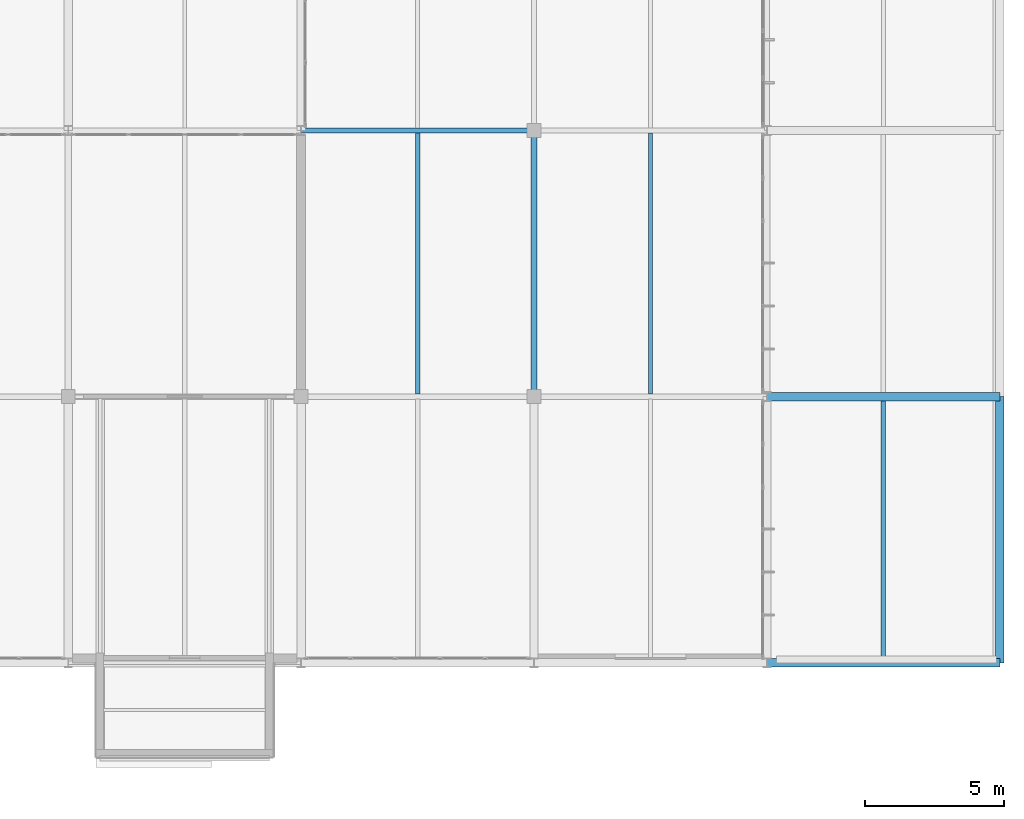
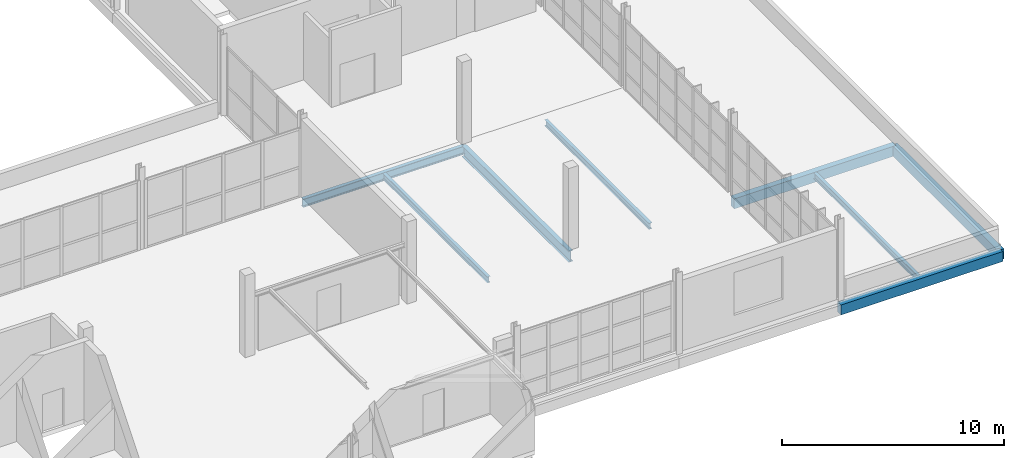
# One storey, part 73 of 103: 8 beams.
"""IFC4 building model written with IfcOpenShell, lengths in metres."""

from ifc_helpers import new_model, si_unit, direction, frame, origin, origin_2d, place, context, subcontext, project, spatial, rectangle, i_section, extrude, material, material_profile, profile_set, type_object, element, save


model = new_model("IFC4")

# Units and contexts
model_context = context("Model", 3, precision=1e-05, world=origin(), true_north=direction((0.0, 1.0)))
body_context = subcontext(model_context, "Body", "Model", "MODEL_VIEW")
ifc_project = project(units=[si_unit("LENGTHUNIT", "METRE"), si_unit("AREAUNIT", "SQUARE_METRE"), si_unit("VOLUMEUNIT", "CUBIC_METRE"), si_unit("PLANEANGLEUNIT", "RADIAN"), si_unit("MASSUNIT", "GRAM", prefix="KILO")], contexts=[model_context])

# Site, building, storey
site_placement = place(None, origin())
site = spatial("IfcSite", under=ifc_project, at=site_placement, CompositionType="ELEMENT")
building_placement = place(site_placement, origin())
building = spatial("IfcBuilding", under=site, at=building_placement, Name="Veltarok Museum of Natural Sciences", CompositionType="ELEMENT")
storey_placement = place(building_placement, frame((0.0, 0.0, 21.89990234375)))
storey = spatial("IfcBuildingStorey", under=building, at=storey_placement, Name="L04", CompositionType="ELEMENT", Elevation=21.89990234375)

# Beams
ifc_material_1 = material(Name="Precast concrete C40/50", Category="concrete")
ifc_material_profile_1 = material_profile(ifc_material_1, rectangle(XDim=0.300048828125, YDim=0.550048828125, at=origin_2d()), Name="RC 300x550")
ifc_profile_set_1 = profile_set([ifc_material_profile_1], Name="Precast concrete C40/50")
beam_type_1 = type_object("IfcBeamType", Name="East Wing Precast Spandrel RC 300x550", PredefinedType="SPANDREL", material=ifc_profile_set_1)
for number, where, z_axis, x_axis, name in (
    (1, (149.199951171875, 0.0, -0.52490234375), (1.0, 0.0, 0.0), (0.0, 1.0, 0.0), "Beam BM-SP02 L04 18-19/A"),
    (2, (149.199951171875, 9.60009765625, -0.52490234375), (1.0, 0.0, 0.0), (0.0, 1.0, 0.0), "Beam BM-SP02 L04 18-19/B"),
):
    element("IfcBeam", number, at=place(storey_placement, frame(where, z_axis=z_axis, x_axis=x_axis)), inside=storey, type_object=beam_type_1, Name=name, PredefinedType="SPANDREL", context=body_context, shape_type="SweptSolid", body=[
        extrude(rectangle(XDim=0.300048828125, YDim=0.550048828125, at=origin_2d()), origin(), (0.0, 0.0, 1.0), 8.400146484375),
    ])
beam_1_placement = place(storey_placement, frame((157.60009765625, 0.0, -0.52490234375), z_axis=(0.0, 1.0, 0.0), x_axis=(-1.0, 0.0, 0.0)))
element("IfcBeam", 3, at=beam_1_placement, inside=storey, type_object=beam_type_1, Name="Beam BM-SP02 L04 19/A-B", PredefinedType="SPANDREL", context=body_context, shape_type="SweptSolid", body=[
    extrude(rectangle(XDim=0.300048828125, YDim=0.550048828125, at=origin_2d()), origin(), (0.0, 0.0, 1.0), 9.60009765625),
])
ifc_material_2 = material(Name="Steel S355J2", Category="steel")
ifc_material_profile_2 = material_profile(ifc_material_2, i_section(OverallWidth=0.18994140625, OverallDepth=0.449951171875, WebThickness=0.009521484375, FlangeThickness=0.0146484375, FilletRadius=0.02099609375, at=origin_2d()), Name="IPE 450")
ifc_profile_set_2 = profile_set([ifc_material_profile_2], Name="Steel S355J2")
beam_type_2 = type_object("IfcBeamType", Name="Laboratory Floor Girder IPE 450", PredefinedType="BEAM", material=ifc_profile_set_2)
beam_2_placement = place(storey_placement, frame((132.39990234375, 19.199951171875, -0.474853515625), z_axis=(1.0, 0.0, 0.0), x_axis=(0.0, 1.0, 0.0)))
element("IfcBeam", 4, at=beam_2_placement, inside=storey, type_object=beam_type_2, Name="Beam BM-G05 L04 16-17/C", PredefinedType="BEAM", context=body_context, shape_type="SweptSolid", body=[
    extrude(i_section(OverallWidth=0.18994140625, OverallDepth=0.449951171875, WebThickness=0.009521484375, FlangeThickness=0.0146484375, FilletRadius=0.02099609375, at=origin_2d()), origin(), (0.0, 0.0, 1.0), 8.400146484375),
])
ifc_material_profile_3 = material_profile(ifc_material_2, i_section(OverallWidth=0.159912109375, OverallDepth=0.330078125, WebThickness=0.007568359375, FlangeThickness=0.011474609375, FilletRadius=0.01806640625, at=origin_2d()), Name="IPE 330")
ifc_profile_set_3 = profile_set([ifc_material_profile_3], Name="Steel S355J2")
beam_type_3 = type_object("IfcBeamType", Name="Medium-Bay Composite Joist IPE 330", PredefinedType="JOIST", material=ifc_profile_set_3)
for number, where, z_axis, x_axis, name in (
    (5, (136.60009765625, 9.693115234375, -0.414794921875), (0.0, 1.0, 0.0), (-1.0, 0.0, 0.0), "Secondary Joist BM-J02 L04 16-17/B-C.1"),
    (6, (145.0, 9.693115234375, -0.414794921875), (0.0, 1.0, 0.0), (-1.0, 0.0, 0.0), "Secondary Joist BM-J02 L04 17-18/B-C.1"),
):
    element("IfcBeam", number, at=place(storey_placement, frame(where, z_axis=z_axis, x_axis=x_axis)), inside=storey, type_object=beam_type_3, Name=name, PredefinedType="JOIST", context=body_context, shape_type="SweptSolid", body=[
        extrude(i_section(OverallWidth=0.159912109375, OverallDepth=0.330078125, WebThickness=0.007568359375, FlangeThickness=0.011474609375, FilletRadius=0.01806640625, at=origin_2d()), origin(), (0.0, 0.0, 1.0), 9.413818359375),
    ])
beam_3_placement = place(storey_placement, frame((153.39990234375, 0.14794921875, -0.414794921875), z_axis=(0.0, 1.0, 0.0), x_axis=(-1.0, 0.0, 0.0)))
element("IfcBeam", 7, at=beam_3_placement, inside=storey, type_object=beam_type_3, Name="Secondary Joist BM-J02 L04 18-19/A-B.1", PredefinedType="JOIST", context=body_context, shape_type="SweptSolid", body=[
    extrude(i_section(OverallWidth=0.159912109375, OverallDepth=0.330078125, WebThickness=0.007568359375, FlangeThickness=0.011474609375, FilletRadius=0.01806640625, at=origin_2d()), origin(), (0.0, 0.0, 1.0), 9.303955078125),
])
ifc_material_profile_4 = material_profile(ifc_material_2, i_section(OverallWidth=0.219970703125, OverallDepth=0.60009765625, WebThickness=0.011962890625, FlangeThickness=0.01904296875, FilletRadius=0.02392578125, at=origin_2d()), Name="IPE 600")
ifc_profile_set_4 = profile_set([ifc_material_profile_4], Name="Steel S355J2")
beam_type_4 = type_object("IfcBeamType", Name="Primary Museum Girder IPE 600", PredefinedType="BEAM", material=ifc_profile_set_4)
beam_4_placement = place(storey_placement, frame((140.800048828125, 9.60009765625, -0.5498046875), z_axis=(0.0, 1.0, 0.0), x_axis=(-1.0, 0.0, 0.0)))
element("IfcBeam", 8, at=beam_4_placement, inside=storey, type_object=beam_type_4, Name="Beam BM-G02 L04 17/B-C", PredefinedType="BEAM", context=body_context, shape_type="SweptSolid", body=[
    extrude(i_section(OverallWidth=0.219970703125, OverallDepth=0.60009765625, WebThickness=0.011962890625, FlangeThickness=0.01904296875, FilletRadius=0.02392578125, at=origin_2d()), origin(), (0.0, 0.0, 1.0), 9.599853515625),
])

save(model, "model.ifc")
